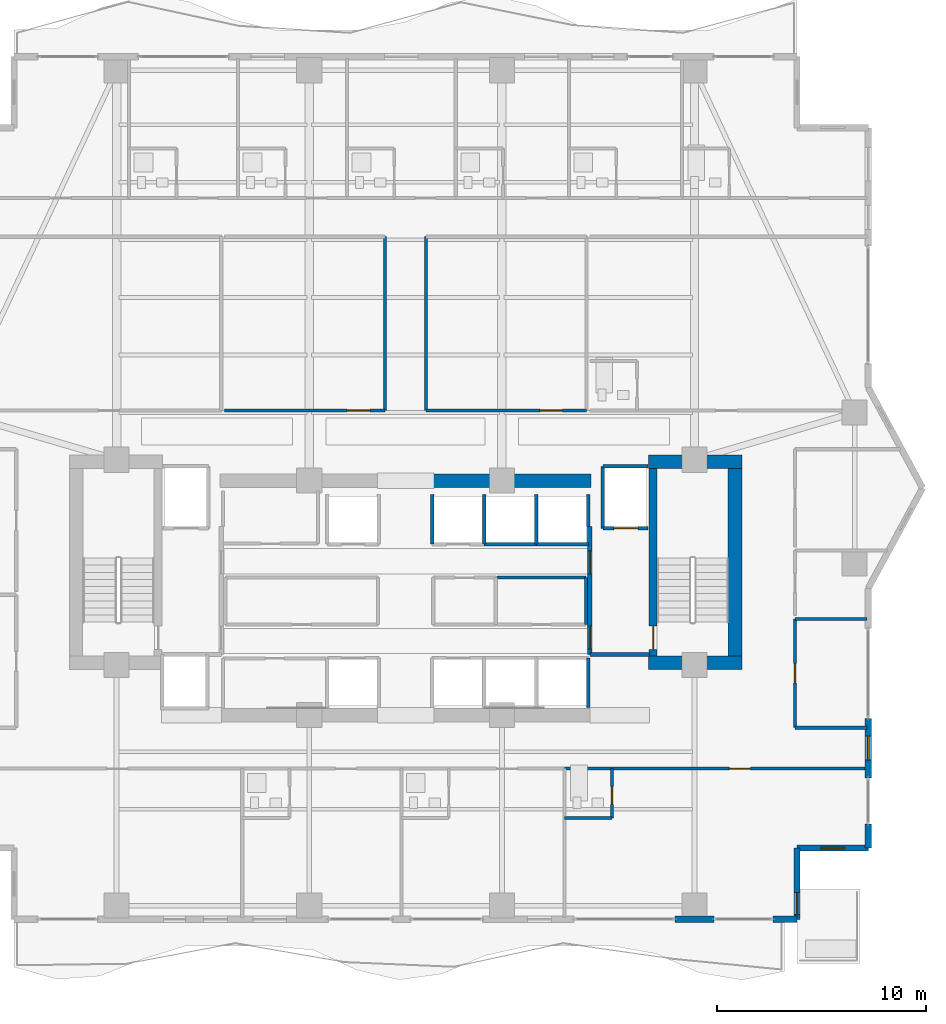
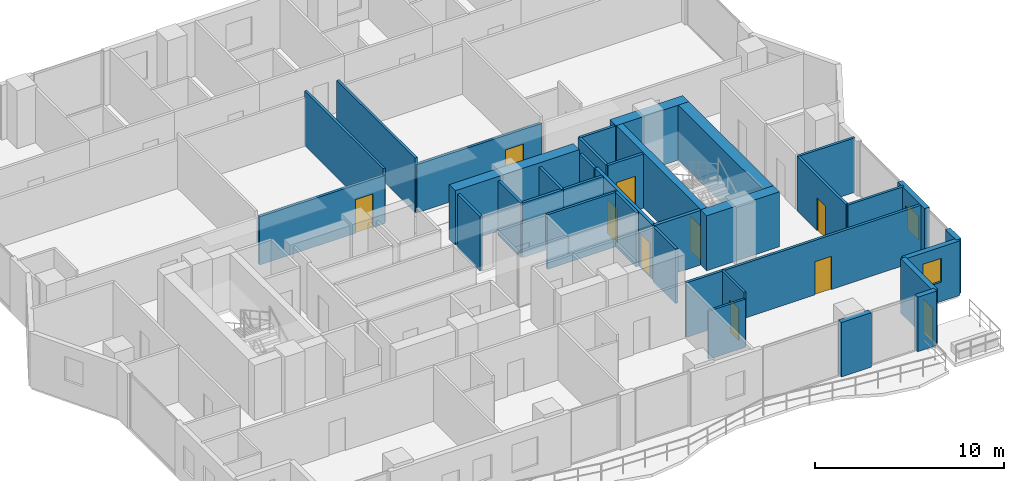
# One storey, part 26 of 33: 35 walls, 10 doors, 2 windows, 12 openings.
"""IFC4 building model written with IfcOpenShell, lengths in metres."""

from ifc_helpers import new_model, si_unit, direction, frame, frame_2d, origin, place, context, subcontext, project, spatial, rectangle, extrude, material, layer, layer_set, type_object, element, fill, save


model = new_model("IFC4")

# Units and contexts
model_context = context("Model", 3, precision=1e-05, world=origin(), true_north=direction((0.0, 1.0)))
body_context = subcontext(model_context, "Body", "Model", "MODEL_VIEW")
ifc_project = project(units=[si_unit("LENGTHUNIT", "METRE"), si_unit("AREAUNIT", "SQUARE_METRE"), si_unit("VOLUMEUNIT", "CUBIC_METRE"), si_unit("PLANEANGLEUNIT", "RADIAN"), si_unit("MASSUNIT", "GRAM", prefix="KILO")], contexts=[model_context])

# Site, building, storey
site_placement = place(None, origin())
site = spatial("IfcSite", under=ifc_project, at=site_placement, CompositionType="ELEMENT")
building_placement = place(site_placement, origin())
building = spatial("IfcBuilding", under=site, at=building_placement, Name="Zuhayl Quay Hotel", CompositionType="ELEMENT")
storey_placement = place(building_placement, frame((0.0, 0.0, 199.89990234375)))
storey = spatial("IfcBuildingStorey", under=building, at=storey_placement, Name="L50", CompositionType="ELEMENT", Elevation=199.89990234375)

# Walls
ifc_material_1 = material(Name="Concrete C50/60", Category="concrete")
ifc_layer_1 = layer(ifc_material_1, 0.64990234375, Name="Concrete C50/60", Category="concrete")
ifc_layer_set_1 = layer_set([ifc_layer_1], Name="Concrete C50/60")
wall_type_1 = type_object("IfcWallType", Name="WL_CORE_650", PredefinedType="SHEAR", material=ifc_layer_set_1)
wall_1_placement = place(storey_placement, frame((11.60009765625, 14.2548828125, 0.0), z_axis=(0.0, 0.0, 1.0), x_axis=(1.0, 0.0, 0.0)))
element("IfcWall", 1, at=wall_1_placement, inside=storey, type_object=wall_type_1, Name="L50 Core Shear Wall CW_NE", PredefinedType="SHEAR", context=body_context, shape_type="SweptSolid", body=[
    extrude(rectangle(XDim=4.4599609375, YDim=0.64990234375, at=frame_2d((2.22998046875, 0.0))), origin(), (0.0, 0.0, 1.0), 3.56005859375),
])
wall_2_placement = place(storey_placement, frame((15.735107421875, 4.969970703125, 0.0), z_axis=(0.0, 0.0, 1.0), x_axis=(0.0, 1.0, 0.0)))
element("IfcWall", 2, at=wall_2_placement, inside=storey, type_object=wall_type_1, Name="L50 Core Shear Wall CW_E", PredefinedType="SHEAR", context=body_context, shape_type="SweptSolid", body=[
    extrude(rectangle(XDim=8.9599609375, YDim=0.64990234375, at=frame_2d((4.47998046875, 0.0))), origin(), (0.0, 0.0, 1.0), 3.56005859375),
])
wall_3_placement = place(storey_placement, frame((11.60009765625, 4.64501953125, 0.0), z_axis=(0.0, 0.0, 1.0), x_axis=(1.0, 0.0, 0.0)))
element("IfcWall", 3, at=wall_3_placement, inside=storey, type_object=wall_type_1, Name="L50 Core Shear Wall CW_SE", PredefinedType="SHEAR", context=body_context, shape_type="SweptSolid", body=[
    extrude(rectangle(XDim=4.4599609375, YDim=0.64990234375, at=frame_2d((2.22998046875, 0.0))), origin(), (0.0, 0.0, 1.0), 3.56005859375),
])
wall_4_placement = place(storey_placement, frame((1.25, 13.35009765625, 0.0), z_axis=(0.0, 0.0, 1.0), x_axis=(1.0, 0.0, 0.0)))
element("IfcWall", 4, at=wall_4_placement, inside=storey, type_object=wall_type_1, Name="L50 Core Shear Wall CW_NC_E", PredefinedType="SHEAR", context=body_context, shape_type="SweptSolid", body=[
    extrude(rectangle(XDim=7.60009765625, YDim=0.64990234375, at=frame_2d((3.800048828125, 0.0))), origin(), (0.0, 0.0, 1.0), 3.530029296875),
])

# Wall, opening, window
ifc_material_2 = material(Name="Precast concrete C45/55", Category="concrete")
ifc_layer_2 = layer(ifc_material_2, 0.300048828125, Name="Precast concrete C45/55", Category="concrete")
ifc_layer_set_2 = layer_set([ifc_layer_2], Name="Precast concrete C45/55")
wall_type_2 = type_object("IfcWallType", Name="WL_EXT_300", PredefinedType="STANDARD", material=ifc_layer_set_2)
wall_5_placement = place(storey_placement, frame((22.10009765625, 2.0, 0.0), z_axis=(0.0, 0.0, 1.0), x_axis=(0.0, -1.0, 0.0)))
wall_5 = element("IfcWall", 5, at=wall_5_placement, inside=storey, type_object=wall_type_2, Name="L50 Exterior Precast Wall ENV_L50_E14_EW2", PredefinedType="STANDARD", context=body_context, shape_type="SweptSolid", body=[
    extrude(rectangle(XDim=2.85009765625, YDim=0.300048828125, at=frame_2d((1.425048828125, 0.0))), origin(), (0.0, 0.0, 1.0), 3.530029296875),
])
opening_1_placement = place(wall_5_placement, frame((0.85009765625, 0.0, 0.949951171875)))
opening_1 = element("IfcOpeningElement", 6, at=opening_1_placement, cuts=wall_5, Name="Opening W01N", PredefinedType="OPENING", context=body_context, shape_type="SweptSolid", body=[
    extrude(rectangle(XDim=1.14990234375, YDim=1.550048828125, at=frame_2d((0.574951171875, 0.77490234375))), frame((0.0, 0.159912109375, 0.0), z_axis=(0.0, -1.0, 0.0), x_axis=(1.0, 0.0, 0.0)), (0.0, 0.0, 1.0), 0.320068359375),
])
ifc_material_3 = material(Name="Dark Ceramic-Fritted Solar Glass", Category="glass")
window_type = type_object("IfcWindowType", Name="WN_NOTCH_1350", PartitioningType="SINGLE_PANEL", PredefinedType="WINDOW", material=ifc_material_3)
window_1_placement = place(opening_1_placement, origin())
window_1 = element("IfcWindow", 7, at=window_1_placement, inside=storey, type_object=window_type, Name="L50 Operable Facade Window 2-1", OverallHeight=1.550048828125, OverallWidth=1.14990234375, PartitioningType="SINGLE_PANEL", PredefinedType="WINDOW", context=body_context, shape_type="SweptSolid", body=[
    extrude(rectangle(XDim=1.14990234375, YDim=1.550048828125, at=frame_2d((0.574951171875, 0.77490234375))), frame((0.0, 0.030029296875, 0.0), z_axis=(0.0, -1.0, 0.0), x_axis=(1.0, 0.0, 0.0)), (0.0, 0.0, 1.0), 0.06005859375),
])
fill(opening_1, window_1)

# Wall
wall_6_placement = place(storey_placement, frame((22.10009765625, -3.050048828125, 0.0), z_axis=(0.0, 0.0, 1.0), x_axis=(0.0, -1.0, 0.0)))
element("IfcWall", 8, at=wall_6_placement, inside=storey, type_object=wall_type_2, Name="L50 Exterior Precast Wall ENV_L50_E14_EW3", PredefinedType="STANDARD", context=body_context, shape_type="SweptSolid", body=[
    extrude(rectangle(XDim=1.14990234375, YDim=0.300048828125, at=frame_2d((0.574951171875, 0.0))), origin(), (0.0, 0.0, 1.0), 3.530029296875),
])

# Wall, opening, window
wall_7_placement = place(storey_placement, frame((22.10009765625, -4.199951171875, 0.0), z_axis=(0.0, 0.0, 1.0), x_axis=(-1.0, 0.0, 0.0)))
wall_7 = element("IfcWall", 9, at=wall_7_placement, inside=storey, type_object=wall_type_2, Name="L50 Exterior Precast Wall ENV_L50_EW15", PredefinedType="STANDARD", context=body_context, shape_type="SweptSolid", body=[
    extrude(rectangle(XDim=3.400146484375, YDim=0.300048828125, at=frame_2d((1.7001953125, 0.0))), origin(), (0.0, 0.0, 1.0), 3.530029296875),
])
opening_2_placement = place(wall_7_placement, frame((1.125, 0.0, 1.25)))
opening_2 = element("IfcOpeningElement", 10, at=opening_2_placement, cuts=wall_7, Name="Opening W01N", PredefinedType="OPENING", context=body_context, shape_type="SweptSolid", body=[
    extrude(rectangle(XDim=1.14990234375, YDim=1.550048828125, at=frame_2d((0.574951171875, 0.77490234375))), frame((0.0, 0.159912109375, 0.0), z_axis=(0.0, -1.0, 0.0), x_axis=(1.0, 0.0, 0.0)), (0.0, 0.0, 1.0), 0.320068359375),
])
window_2_placement = place(opening_2_placement, origin())
window_2 = element("IfcWindow", 11, at=window_2_placement, inside=storey, type_object=window_type, Name="L50 Corner Notch Window 15", OverallHeight=1.550048828125, OverallWidth=1.14990234375, PartitioningType="SINGLE_PANEL", PredefinedType="WINDOW", context=body_context, shape_type="SweptSolid", body=[
    extrude(rectangle(XDim=1.14990234375, YDim=1.550048828125, at=frame_2d((0.574951171875, 0.77490234375))), frame((0.0, 0.030029296875, 0.0), z_axis=(0.0, -1.0, 0.0), x_axis=(1.0, 0.0, 0.0)), (0.0, 0.0, 1.0), 0.06005859375),
])
fill(opening_2, window_2)

# Wall, opening, door
wall_8_placement = place(storey_placement, frame((18.699951171875, -4.199951171875, 0.0), z_axis=(0.0, 0.0, 1.0), x_axis=(0.0, -1.0, 0.0)))
wall_8 = element("IfcWall", 12, at=wall_8_placement, inside=storey, type_object=wall_type_2, Name="L50 Exterior Precast Wall ENV_L50_SP_SE", PredefinedType="STANDARD", context=body_context, shape_type="SweptSolid", body=[
    extrude(rectangle(XDim=3.400146484375, YDim=0.300048828125, at=frame_2d((1.7001953125, 0.0))), origin(), (0.0, 0.0, 1.0), 3.530029296875),
])
opening_3_placement = place(wall_8_placement, frame((2.1298828125, 0.0, 0.0)))
opening_3 = element("IfcOpeningElement", 13, at=opening_3_placement, cuts=wall_8, Name="Opening DG1", PredefinedType="OPENING", context=body_context, shape_type="SweptSolid", body=[
    extrude(rectangle(XDim=1.050048828125, YDim=2.199951171875, at=frame_2d((0.52490234375, 1.10009765625))), frame((0.0, 0.159912109375, 0.0), z_axis=(0.0, -1.0, 0.0), x_axis=(1.0, 0.0, 0.0)), (0.0, 0.0, 1.0), 0.320068359375),
])
ifc_material_4 = material(Name="Anodised Aluminium and Dark Solar Glass", Category="aluminium")
door_type_1 = type_object("IfcDoorType", Name="DR_EXT_TERR_1050", OperationType="NOTDEFINED", PredefinedType="DOOR", material=ifc_material_4)
door_1_placement = place(opening_3_placement, origin())
door_1 = element("IfcDoor", 14, at=door_1_placement, inside=storey, type_object=door_type_1, Name="L50 Spiral Sky-Terrace SE Access Door", OperationType="SINGLE_SWING_LEFT", OverallHeight=2.199951171875, OverallWidth=1.050048828125, PredefinedType="DOOR", context=body_context, shape_type="SweptSolid", body=[
    extrude(rectangle(XDim=1.050048828125, YDim=2.199951171875, at=frame_2d((0.52490234375, 1.10009765625))), frame((0.0, 0.02490234375, 0.0), z_axis=(0.0, -1.0, 0.0), x_axis=(1.0, 0.0, 0.0)), (0.0, 0.0, 1.0), 0.050048828125),
])
fill(opening_3, door_1)

# Walls
wall_9_placement = place(storey_placement, frame((18.699951171875, -7.60009765625, 0.0), z_axis=(0.0, 0.0, 1.0), x_axis=(-1.0, 0.0, 0.0)))
element("IfcWall", 15, at=wall_9_placement, inside=storey, type_object=wall_type_2, Name="L50 Exterior Precast Wall ENV_L50_S_EW1", PredefinedType="STANDARD", context=body_context, shape_type="SweptSolid", body=[
    extrude(rectangle(XDim=1.14990234375, YDim=0.300048828125, at=frame_2d((0.574951171875, 0.0))), origin(), (0.0, 0.0, 1.0), 3.530029296875),
])
wall_10_placement = place(storey_placement, frame((14.719970703125, -7.60009765625, 0.0), z_axis=(0.0, 0.0, 1.0), x_axis=(-1.0, 0.0, 0.0)))
element("IfcWall", 16, at=wall_10_placement, inside=storey, type_object=wall_type_2, Name="L50 Exterior Precast Wall ENV_L50_S_EW2", PredefinedType="STANDARD", context=body_context, shape_type="SweptSolid", body=[
    extrude(rectangle(XDim=1.840087890625, YDim=0.300048828125, at=frame_2d((0.919921875, 0.0))), origin(), (0.0, 0.0, 1.0), 3.530029296875),
])
ifc_material_5 = material(Name="Acoustic Gypsum Partition STC-58")
ifc_layer_3 = layer(ifc_material_5, 0.14990234375, Name="Acoustic Gypsum Partition STC-58")
ifc_layer_set_3 = layer_set([ifc_layer_3], Name="Acoustic Gypsum Partition STC-58")
wall_type_3 = type_object("IfcWallType", Name="WL_PART_150", PredefinedType="PARTITIONING", material=ifc_layer_set_3)
wall_11_placement = place(storey_placement, frame((4.3701171875, 8.719970703125, 0.0), z_axis=(0.0, 0.0, 1.0), x_axis=(1.0, 0.0, 0.0)))
element("IfcWall", 17, at=wall_11_placement, inside=storey, type_object=wall_type_3, Name="L50 Partition IW_L50_CORE_LN_N", PredefinedType="PARTITIONING", context=body_context, shape_type="SweptSolid", body=[
    extrude(rectangle(XDim=4.239990234375, YDim=0.14990234375, at=frame_2d((2.1201171875, 0.0))), origin(), (0.0, 0.0, 1.0), 3.530029296875),
])
wall_12_placement = place(storey_placement, frame((8.610107421875, 6.47998046875, 0.0), z_axis=(0.0, 0.0, 1.0), x_axis=(0.0, 1.0, 0.0)))
element("IfcWall", 18, at=wall_12_placement, inside=storey, type_object=wall_type_3, Name="L50 Partition IW_L50_CORE_LN_E", PredefinedType="PARTITIONING", context=body_context, shape_type="SweptSolid", body=[
    extrude(rectangle(XDim=2.239990234375, YDim=0.14990234375, at=frame_2d((1.1201171875, 0.0))), origin(), (0.0, 0.0, 1.0), 3.530029296875),
])
for number, where, z_axis, x_axis, name in (
    (19, (-0.97998046875, 16.699951171875, 0.0), (0.0, 0.0, 1.0), (0.0, 1.0, 0.0), "L50 Partition IW_L50_Z3_MID_W_E"),
    (20, (0.97998046875, 16.699951171875, 0.0), (0.0, 0.0, 1.0), (0.0, 1.0, 0.0), "L50 Partition IW_L50_Z3_MID_E_W"),
):
    element("IfcWall", number, at=place(storey_placement, frame(where, z_axis=z_axis, x_axis=x_axis)), inside=storey, type_object=wall_type_3, Name=name, PredefinedType="PARTITIONING", context=body_context, shape_type="SweptSolid", body=[
        extrude(rectangle(XDim=8.300048828125, YDim=0.14990234375, at=frame_2d((4.14990234375, 0.0))), origin(), (0.0, 0.0, 1.0), 3.530029296875),
    ])
for number, where, z_axis, x_axis, name in (
    (21, (18.60009765625, 1.550048828125, 0.0), (0.0, 0.0, 1.0), (1.0, 0.0, 0.0), "L50 Partition IW_L50_HK_MAIN_S"),
    (22, (18.60009765625, 6.75, 0.0), (0.0, 0.0, 1.0), (1.0, 0.0, 0.0), "L50 Partition IW_L50_HK_MAIN_N"),
):
    element("IfcWall", number, at=place(storey_placement, frame(where, z_axis=z_axis, x_axis=x_axis)), inside=storey, type_object=wall_type_3, Name=name, PredefinedType="PARTITIONING", context=body_context, shape_type="SweptSolid", body=[
        extrude(rectangle(XDim=3.43994140625, YDim=0.14990234375, at=frame_2d((1.719970703125, 0.0))), origin(), (0.0, 0.0, 1.0), 3.530029296875),
    ])

# Wall, opening, door
ifc_layer_4 = layer(ifc_material_5, 0.159912109375, Name="Acoustic Gypsum Partition STC-58")
ifc_layer_set_4 = layer_set([ifc_layer_4], Name="Acoustic Gypsum Partition STC-58")
wall_type_4 = type_object("IfcWallType", Name="WL_PART_CORR_160", PredefinedType="PARTITIONING", material=ifc_layer_set_4)
wall_13_placement = place(storey_placement, frame((-8.639892578125, 16.699951171875, 0.0), z_axis=(0.0, 0.0, 1.0), x_axis=(1.0, 0.0, 0.0)))
wall_13 = element("IfcWall", 23, at=wall_13_placement, inside=storey, type_object=wall_type_4, Name="L50 Partition IW_L50_Z3_MID_W_S", PredefinedType="PARTITIONING", context=body_context, shape_type="SweptSolid", body=[
    extrude(rectangle(XDim=7.659912109375, YDim=0.159912109375, at=frame_2d((3.830078125, 0.0))), origin(), (0.0, 0.0, 1.0), 3.1240234375),
])
opening_4_placement = place(wall_13_placement, frame((5.85009765625, 0.0, 0.0)))
opening_4 = element("IfcOpeningElement", 24, at=opening_4_placement, cuts=wall_13, Name="Opening D05A", PredefinedType="OPENING", context=body_context, shape_type="SweptSolid", body=[
    extrude(rectangle(XDim=1.080078125, YDim=2.179931640625, at=frame_2d((0.5400390625, 1.08984375))), frame((0.0, 0.08984375, 0.0), z_axis=(0.0, -1.0, 0.0), x_axis=(1.0, 0.0, 0.0)), (0.0, 0.0, 1.0), 0.179931640625),
])
ifc_material_6 = material(Name="Solid Walnut Acoustic Fire Door")
door_type_2 = type_object("IfcDoorType", Name="DR_INT_1100", OperationType="NOTDEFINED", PredefinedType="DOOR", material=ifc_material_6)
door_2_placement = place(opening_4_placement, origin())
door_2 = element("IfcDoor", 25, at=door_2_placement, inside=storey, type_object=door_type_2, Name="L50 Botanical Tasting Room Door", OperationType="SINGLE_SWING_LEFT", OverallHeight=2.179931640625, OverallWidth=1.080078125, PredefinedType="DOOR", context=body_context, shape_type="SweptSolid", body=[
    extrude(rectangle(XDim=1.080078125, YDim=2.179931640625, at=frame_2d((0.5400390625, 1.08984375))), frame((0.0, 0.02490234375, 0.0), z_axis=(0.0, -1.0, 0.0), x_axis=(1.0, 0.0, 0.0)), (0.0, 0.0, 1.0), 0.050048828125),
])
fill(opening_4, door_2)

wall_14_placement = place(storey_placement, frame((0.97998046875, 16.699951171875, 0.0), z_axis=(0.0, 0.0, 1.0), x_axis=(1.0, 0.0, 0.0)))
wall_14 = element("IfcWall", 26, at=wall_14_placement, inside=storey, type_object=wall_type_4, Name="L50 Partition IW_L50_Z3_MID_E_S", PredefinedType="PARTITIONING", context=body_context, shape_type="SweptSolid", body=[
    extrude(rectangle(XDim=7.659912109375, YDim=0.159912109375, at=frame_2d((3.830078125, 0.0))), origin(), (0.0, 0.0, 1.0), 3.1240234375),
])
opening_5_placement = place(wall_14_placement, frame((5.429931640625, 0.0, 0.0)))
opening_5 = element("IfcOpeningElement", 27, at=opening_5_placement, cuts=wall_14, Name="Opening D05A", PredefinedType="OPENING", context=body_context, shape_type="SweptSolid", body=[
    extrude(rectangle(XDim=1.080078125, YDim=2.179931640625, at=frame_2d((0.5400390625, 1.08984375))), frame((0.0, 0.08984375, 0.0), z_axis=(0.0, -1.0, 0.0), x_axis=(1.0, 0.0, 0.0)), (0.0, 0.0, 1.0), 0.179931640625),
])
door_3_placement = place(opening_5_placement, origin())
door_3 = element("IfcDoor", 28, at=door_3_placement, inside=storey, type_object=door_type_2, Name="L50 Horizon Screening Salon Door", OperationType="SINGLE_SWING_RIGHT", OverallHeight=2.179931640625, OverallWidth=1.080078125, PredefinedType="DOOR", context=body_context, shape_type="SweptSolid", body=[
    extrude(rectangle(XDim=1.080078125, YDim=2.179931640625, at=frame_2d((0.5400390625, 1.08984375))), frame((0.0, 0.02490234375, 0.0), z_axis=(0.0, -1.0, 0.0), x_axis=(1.0, 0.0, 0.0)), (0.0, 0.0, 1.0), 0.050048828125),
])
fill(opening_5, door_3)

wall_15_placement = place(storey_placement, frame((7.60009765625, -0.39990234375, 0.0), z_axis=(0.0, 0.0, 1.0), x_axis=(1.0, 0.0, 0.0)))
wall_15 = element("IfcWall", 29, at=wall_15_placement, inside=storey, type_object=wall_type_4, Name="L50 Partition IW_L50_SU04_COR", PredefinedType="PARTITIONING", context=body_context, shape_type="SweptSolid", body=[
    extrude(rectangle(XDim=14.43994140625, YDim=0.159912109375, at=frame_2d((7.219970703125, 0.0))), origin(), (0.0, 0.0, 1.0), 3.530029296875),
])
opening_6_placement = place(wall_15_placement, frame((7.8701171875, 0.0, 0.0)))
opening_6 = element("IfcOpeningElement", 30, at=opening_6_placement, cuts=wall_15, Name="Opening D03L", PredefinedType="OPENING", context=body_context, shape_type="SweptSolid", body=[
    extrude(rectangle(XDim=1.0, YDim=2.14990234375, at=frame_2d((0.5, 1.074951171875))), frame((0.0, 0.08984375, 0.0), z_axis=(0.0, -1.0, 0.0), x_axis=(1.0, 0.0, 0.0)), (0.0, 0.0, 1.0), 0.179931640625),
])
door_type_3 = type_object("IfcDoorType", Name="DR_SUITE_1000", OperationType="NOTDEFINED", PredefinedType="DOOR", material=ifc_material_6)
door_4_placement = place(opening_6_placement, origin())
door_4 = element("IfcDoor", 31, at=door_4_placement, inside=storey, type_object=door_type_3, Name="L50 City-View Junior Suite L50-04 Entrance Door", OperationType="SINGLE_SWING_RIGHT", OverallHeight=2.14990234375, OverallWidth=1.0, PredefinedType="DOOR", context=body_context, shape_type="SweptSolid", body=[
    extrude(rectangle(XDim=1.0, YDim=2.14990234375, at=frame_2d((0.5, 1.074951171875))), frame((0.0, 0.02490234375, 0.0), z_axis=(0.0, -1.0, 0.0), x_axis=(1.0, 0.0, 0.0)), (0.0, 0.0, 1.0), 0.050048828125),
])
fill(opening_6, door_4)

wall_16_placement = place(storey_placement, frame((18.60009765625, 1.550048828125, 0.0), z_axis=(0.0, 0.0, 1.0), x_axis=(0.0, 1.0, 0.0)))
wall_16 = element("IfcWall", 32, at=wall_16_placement, inside=storey, type_object=wall_type_4, Name="L50 Partition IW_L50_HK_MAIN_W", PredefinedType="PARTITIONING", context=body_context, shape_type="SweptSolid", body=[
    extrude(rectangle(XDim=5.199951171875, YDim=0.159912109375, at=frame_2d((2.60009765625, 0.0))), origin(), (0.0, 0.0, 1.0), 3.530029296875),
])
opening_7_placement = place(wall_16_placement, frame((2.139892578125, 0.0, 0.0)))
opening_7 = element("IfcOpeningElement", 33, at=opening_7_placement, cuts=wall_16, Name="Opening D05", PredefinedType="OPENING", context=body_context, shape_type="SweptSolid", body=[
    extrude(rectangle(XDim=0.919921875, YDim=2.1201171875, at=frame_2d((0.4599609375, 1.06005859375))), frame((0.0, 0.08984375, 0.0), z_axis=(0.0, -1.0, 0.0), x_axis=(1.0, 0.0, 0.0)), (0.0, 0.0, 1.0), 0.179931640625),
])
door_type_4 = type_object("IfcDoorType", Name="DR_INT_950", OperationType="NOTDEFINED", PredefinedType="DOOR", material=ifc_material_6)
door_5_placement = place(opening_7_placement, origin())
door_5 = element("IfcDoor", 34, at=door_5_placement, inside=storey, type_object=door_type_4, Name="L50 Housekeeping and Linen Room Door", OperationType="SINGLE_SWING_LEFT", OverallHeight=2.1201171875, OverallWidth=0.919921875, PredefinedType="DOOR", context=body_context, shape_type="SweptSolid", body=[
    extrude(rectangle(XDim=0.919921875, YDim=2.1201171875, at=frame_2d((0.4599609375, 1.06005859375))), frame((0.0, 0.02490234375, 0.0), z_axis=(0.0, -1.0, 0.0), x_axis=(1.0, 0.0, 0.0)), (0.0, 0.0, 1.0), 0.050048828125),
])
fill(opening_7, door_5)

ifc_material_7 = material(Name="Moisture-Resistant Sanitarychase Gypsum")
ifc_layer_5 = layer(ifc_material_7, 0.135009765625, Name="Moisture-Resistant Sanitarychase Gypsum")
ifc_layer_set_5 = layer_set([ifc_layer_5], Name="Moisture-Resistant Sanitarychase Gypsum")
wall_type_5 = type_object("IfcWallType", Name="WL_PART_PLUMB_150", PredefinedType="PLUMBINGWALL", material=ifc_layer_set_5)
wall_17_placement = place(storey_placement, frame((9.860107421875, -2.760009765625, 0.0), z_axis=(0.0, 0.0, 1.0), x_axis=(0.0, 1.0, 0.0)))
wall_17 = element("IfcWall", 35, at=wall_17_placement, inside=storey, type_object=wall_type_5, Name="L50 Partition IW_L50_SU04_BE", PredefinedType="PLUMBINGWALL", context=body_context, shape_type="SweptSolid", body=[
    extrude(rectangle(XDim=2.360107421875, YDim=0.135009765625, at=frame_2d((1.18017578125, 0.0))), origin(), (0.0, 0.0, 1.0), 3.530029296875),
])
opening_8_placement = place(wall_17_placement, frame((0.64990234375, 0.0, 0.0)))
opening_8 = element("IfcOpeningElement", 36, at=opening_8_placement, cuts=wall_17, Name="Opening D04", PredefinedType="OPENING", context=body_context, shape_type="SweptSolid", body=[
    extrude(rectangle(XDim=0.85009765625, YDim=2.10009765625, at=frame_2d((0.425048828125, 1.050048828125))), frame((0.0, 0.077392578125, 0.0), z_axis=(0.0, -1.0, 0.0), x_axis=(1.0, 0.0, 0.0)), (0.0, 0.0, 1.0), 0.155029296875),
])
ifc_material_8 = material(Name="Moisture-Resistant Walnut Veneer")
door_type_5 = type_object("IfcDoorType", Name="DR_BATH_850", OperationType="NOTDEFINED", PredefinedType="DOOR", material=ifc_material_8)
door_6_placement = place(opening_8_placement, origin())
door_6 = element("IfcDoor", 37, at=door_6_placement, inside=storey, type_object=door_type_5, Name="L50 City-View Junior Suite L50-04 En-Suite Door", OperationType="SINGLE_SWING_LEFT", OverallHeight=2.10009765625, OverallWidth=0.85009765625, PredefinedType="DOOR", context=body_context, shape_type="SweptSolid", body=[
    extrude(rectangle(XDim=0.85009765625, YDim=2.10009765625, at=frame_2d((0.425048828125, 1.050048828125))), frame((0.0, 0.02490234375, 0.0), z_axis=(0.0, -1.0, 0.0), x_axis=(1.0, 0.0, 0.0)), (0.0, 0.0, 1.0), 0.050048828125),
])
fill(opening_8, door_6)

# Wall
wall_18_placement = place(storey_placement, frame((7.60009765625, -2.760009765625, 0.0), z_axis=(0.0, 0.0, 1.0), x_axis=(1.0, 0.0, 0.0)))
element("IfcWall", 38, at=wall_18_placement, inside=storey, type_object=wall_type_5, Name="L50 Partition IW_L50_SU04_BS", PredefinedType="PLUMBINGWALL", context=body_context, shape_type="SweptSolid", body=[
    extrude(rectangle(XDim=2.260009765625, YDim=0.135009765625, at=frame_2d((1.1298828125, 0.0))), origin(), (0.0, 0.0, 1.0), 3.1240234375),
])

# Wall, opening, door
ifc_material_9 = material(Name="Gypsum Fireboard Assembly EI-90")
ifc_layer_6 = layer(ifc_material_9, 0.1650390625, Name="Gypsum Fireboard Assembly EI-90")
ifc_layer_set_6 = layer_set([ifc_layer_6], Name="Gypsum Fireboard Assembly EI-90")
wall_type_6 = type_object("IfcWallType", Name="WL_PART_SHAFT_160", PredefinedType="PARTITIONING", material=ifc_layer_set_6)
wall_19_placement = place(storey_placement, frame((9.419921875, 11.070068359375, 0.0), z_axis=(0.0, 0.0, 1.0), x_axis=(1.0, 0.0, 0.0)))
wall_19 = element("IfcWall", 39, at=wall_19_placement, inside=storey, type_object=wall_type_6, Name="L50 Partition IW_L50_SH_FL2_F", PredefinedType="PARTITIONING", context=body_context, shape_type="SweptSolid", body=[
    extrude(rectangle(XDim=2.16015625, YDim=0.1650390625, at=frame_2d((1.080078125, 0.0))), origin(), (0.0, 0.0, 1.0), 3.530029296875),
])
opening_9_placement = place(wall_19_placement, frame((0.530029296875, 0.0, 0.0)))
opening_9 = element("IfcOpeningElement", 40, at=opening_9_placement, cuts=wall_19, Name="Opening LD2", PredefinedType="OPENING", context=body_context, shape_type="SweptSolid", body=[
    extrude(rectangle(XDim=1.14990234375, YDim=2.25, at=frame_2d((0.574951171875, 1.125))), frame((0.0, 0.092529296875, 0.0), z_axis=(0.0, -1.0, 0.0), x_axis=(1.0, 0.0, 0.0)), (0.0, 0.0, 1.0), 0.18505859375),
])
ifc_material_10 = material(Name="Brushed Stainless Steel", Category="steel")
door_type_6 = type_object("IfcDoorType", Name="DR_LIFT_FF_1100", OperationType="SLIDING_TO_LEFT", PredefinedType="DOOR", material=ifc_material_10)
door_7_placement = place(opening_9_placement, origin())
door_7 = element("IfcDoor", 41, at=door_7_placement, inside=storey, type_object=door_type_6, Name="L50 Lift FL2 Sliding Landing Door", OperationType="SLIDING_TO_LEFT", OverallHeight=2.25, OverallWidth=1.14990234375, PredefinedType="DOOR", context=body_context, shape_type="SweptSolid", body=[
    extrude(rectangle(XDim=1.14990234375, YDim=2.25, at=frame_2d((0.574951171875, 1.125))), frame((0.0, 0.02490234375, 0.0), z_axis=(0.0, -1.0, 0.0), x_axis=(1.0, 0.0, 0.0)), (0.0, 0.0, 1.0), 0.050048828125),
])
fill(opening_9, door_7)

# Walls
wall_20_placement = place(storey_placement, frame((9.419921875, 11.070068359375, 0.0), z_axis=(0.0, 0.0, 1.0), x_axis=(0.0, 1.0, 0.0)))
element("IfcWall", 42, at=wall_20_placement, inside=storey, type_object=wall_type_6, Name="L50 Partition IW_L50_SH_FL2_W", PredefinedType="PARTITIONING", context=body_context, shape_type="SweptSolid", body=[
    extrude(rectangle(XDim=2.9599609375, YDim=0.1650390625, at=frame_2d((1.47998046875, 0.0))), origin(), (0.0, 0.0, 1.0), 3.530029296875),
])
wall_21_placement = place(storey_placement, frame((9.419921875, 14.030029296875, 0.0), z_axis=(0.0, 0.0, 1.0), x_axis=(1.0, 0.0, 0.0)))
element("IfcWall", 43, at=wall_21_placement, inside=storey, type_object=wall_type_6, Name="L50 Partition IW_L50_SH_FL2_B", PredefinedType="PARTITIONING", context=body_context, shape_type="SweptSolid", body=[
    extrude(rectangle(XDim=2.16015625, YDim=0.1650390625, at=frame_2d((1.080078125, 0.0))), origin(), (0.0, 0.0, 1.0), 3.530029296875),
])
for number, where, z_axis, x_axis, name in (
    (44, (1.27001953125, 10.320068359375, 0.0), (0.0, 0.0, 1.0), (0.0, 1.0, 0.0), "L50 Partition IW_L50_SH_MP4_W"),
    (45, (3.75, 10.320068359375, 0.0), (0.0, 0.0, 1.0), (0.0, 1.0, 0.0), "L50 Partition IW_L50_SH_MP4_E"),
    (46, (8.72998046875, 2.52001953125, 0.0), (0.0, 0.0, 1.0), (0.0, 1.0, 0.0), "L50 Partition IW_L50_SH_HP2_E"),
):
    element("IfcWall", number, at=place(storey_placement, frame(where, z_axis=z_axis, x_axis=x_axis)), inside=storey, type_object=wall_type_6, Name=name, PredefinedType="PARTITIONING", context=body_context, shape_type="SweptSolid", body=[
        extrude(rectangle(XDim=2.35986328125, YDim=0.1650390625, at=frame_2d((1.179931640625, 0.0))), origin(), (0.0, 0.0, 1.0), 3.530029296875),
    ])
wall_22_placement = place(storey_placement, frame((3.75, 10.320068359375, 0.0), z_axis=(0.0, 0.0, 1.0), x_axis=(1.0, 0.0, 0.0)))
element("IfcWall", 47, at=wall_22_placement, inside=storey, type_object=wall_type_6, Name="L50 Partition IW_L50_SH_HP3_F", PredefinedType="PARTITIONING", context=body_context, shape_type="SweptSolid", body=[
    extrude(rectangle(XDim=2.5, YDim=0.1650390625, at=frame_2d((1.25, 0.0))), origin(), (0.0, 0.0, 1.0), 3.530029296875),
])
wall_23_placement = place(storey_placement, frame((6.25, 10.320068359375, 0.0), z_axis=(0.0, 0.0, 1.0), x_axis=(0.0, 1.0, 0.0)))
element("IfcWall", 48, at=wall_23_placement, inside=storey, type_object=wall_type_6, Name="L50 Partition IW_L50_SH_HP3_E", PredefinedType="PARTITIONING", context=body_context, shape_type="SweptSolid", body=[
    extrude(rectangle(XDim=2.35986328125, YDim=0.1650390625, at=frame_2d((1.179931640625, 0.0))), origin(), (0.0, 0.0, 1.0), 3.530029296875),
])
wall_24_placement = place(storey_placement, frame((6.25, 10.320068359375, 0.0), z_axis=(0.0, 0.0, 1.0), x_axis=(1.0, 0.0, 0.0)))
element("IfcWall", 49, at=wall_24_placement, inside=storey, type_object=wall_type_6, Name="L50 Partition IW_L50_SH_HP4_F", PredefinedType="PARTITIONING", context=body_context, shape_type="SweptSolid", body=[
    extrude(rectangle(XDim=2.47998046875, YDim=0.1650390625, at=frame_2d((1.239990234375, 0.0))), origin(), (0.0, 0.0, 1.0), 3.530029296875),
])
wall_25_placement = place(storey_placement, frame((8.72998046875, 11.14990234375, 0.0), z_axis=(0.0, 0.0, 1.0), x_axis=(0.0, 1.0, 0.0)))
element("IfcWall", 50, at=wall_25_placement, inside=storey, type_object=wall_type_6, Name="L50 Partition IW_L50_SH_HP4_E", PredefinedType="PARTITIONING", context=body_context, shape_type="SweptSolid", body=[
    extrude(rectangle(XDim=1.530029296875, YDim=0.1650390625, at=frame_2d((0.76513671875, 0.0))), origin(), (0.0, 0.0, 1.0), 3.530029296875),
])

# Wall, openings, doors
ifc_material_11 = material(Name="Gypsum Fireboard Assembly EI-120")
ifc_layer_7 = layer(ifc_material_11, 0.199951171875, Name="Gypsum Fireboard Assembly EI-120")
ifc_layer_set_7 = layer_set([ifc_layer_7], Name="Gypsum Fireboard Assembly EI-120")
wall_type_7 = type_object("IfcWallType", Name="WL_PART_SHAFT_200", PredefinedType="PARTITIONING", material=ifc_layer_set_7)
wall_26_placement = place(storey_placement, frame((8.800048828125, 11.14990234375, 0.0), z_axis=(0.0, 0.0, 1.0), x_axis=(0.0, -1.0, 0.0)))
wall_26 = element("IfcWall", 51, at=wall_26_placement, inside=storey, type_object=wall_type_7, Name="L50 Partition IW_L50_FSAE_E_W", PredefinedType="PARTITIONING", context=body_context, shape_type="SweptSolid", body=[
    extrude(rectangle(XDim=6.099853515625, YDim=0.199951171875, at=frame_2d((3.0498046875, 0.0))), origin(), (0.0, 0.0, 1.0), 3.530029296875),
])
opening_10_placement = place(wall_26_placement, frame((1.14990234375, 0.0, 0.0)))
opening_10 = element("IfcOpeningElement", 52, at=opening_10_placement, cuts=wall_26, Name="Opening D02", PredefinedType="OPENING", context=body_context, shape_type="SweptSolid", body=[
    extrude(rectangle(XDim=1.10009765625, YDim=2.199951171875, at=frame_2d((0.550048828125, 1.10009765625))), frame((0.0, 0.10986328125, 0.0), z_axis=(0.0, -1.0, 0.0), x_axis=(1.0, 0.0, 0.0)), (0.0, 0.0, 1.0), 0.219970703125),
])
opening_11_placement = place(wall_26_placement, frame((4.75, 0.0, 0.0)))
opening_11 = element("IfcOpeningElement", 53, at=opening_11_placement, cuts=wall_26, Name="Opening D02", PredefinedType="OPENING", context=body_context, shape_type="SweptSolid", body=[
    extrude(rectangle(XDim=1.10009765625, YDim=2.199951171875, at=frame_2d((0.550048828125, 1.10009765625))), frame((0.0, 0.10986328125, 0.0), z_axis=(0.0, -1.0, 0.0), x_axis=(1.0, 0.0, 0.0)), (0.0, 0.0, 1.0), 0.219970703125),
])
ifc_material_12 = material(Name="Steel ASTM A992 Grade 50", Category="steel")
door_type_7 = type_object("IfcDoorType", Name="DR_FIRE_90_1100", OperationType="NOTDEFINED", PredefinedType="DOOR", material=ifc_material_12)
door_8_placement = place(opening_10_placement, origin())
door_8 = element("IfcDoor", 54, at=door_8_placement, inside=storey, type_object=door_type_7, Name="L50 FSAE Lobby East North Entry Door", OperationType="SINGLE_SWING_RIGHT", OverallHeight=2.199951171875, OverallWidth=1.10009765625, PredefinedType="DOOR", context=body_context, shape_type="SweptSolid", body=[
    extrude(rectangle(XDim=1.10009765625, YDim=2.199951171875, at=frame_2d((0.550048828125, 1.10009765625))), frame((0.0, 0.02490234375, 0.0), z_axis=(0.0, -1.0, 0.0), x_axis=(1.0, 0.0, 0.0)), (0.0, 0.0, 1.0), 0.050048828125),
])
fill(opening_10, door_8)
door_9_placement = place(opening_11_placement, origin())
door_9 = element("IfcDoor", 55, at=door_9_placement, inside=storey, type_object=door_type_7, Name="L50 FSAE Lobby East South Entry Door", OperationType="SINGLE_SWING_LEFT", OverallHeight=2.199951171875, OverallWidth=1.10009765625, PredefinedType="DOOR", context=body_context, shape_type="SweptSolid", body=[
    extrude(rectangle(XDim=1.10009765625, YDim=2.199951171875, at=frame_2d((0.550048828125, 1.10009765625))), frame((0.0, 0.02490234375, 0.0), z_axis=(0.0, -1.0, 0.0), x_axis=(1.0, 0.0, 0.0)), (0.0, 0.0, 1.0), 0.050048828125),
])
fill(opening_11, door_9)

# Wall
wall_27_placement = place(storey_placement, frame((8.800048828125, 5.050048828125, 0.0), z_axis=(0.0, 0.0, 1.0), x_axis=(1.0, 0.0, 0.0)))
element("IfcWall", 56, at=wall_27_placement, inside=storey, type_object=wall_type_7, Name="L50 Partition IW_L50_FSAE_E_S", PredefinedType="PARTITIONING", context=body_context, shape_type="SweptSolid", body=[
    extrude(rectangle(XDim=2.849853515625, YDim=0.199951171875, at=frame_2d((1.4248046875, 0.0))), origin(), (0.0, 0.0, 1.0), 3.530029296875),
])

# Wall, opening, door
ifc_material_13 = material(Name="Concrete C60/75", Category="concrete")
ifc_layer_8 = layer(ifc_material_13, 0.39990234375, Name="Concrete C60/75", Category="concrete")
ifc_layer_set_8 = layer_set([ifc_layer_8], Name="Concrete C60/75")
wall_type_8 = type_object("IfcWallType", Name="WL_STAIR_400", PredefinedType="SHEAR", material=ifc_layer_set_8)
wall_28_placement = place(storey_placement, frame((11.820068359375, 13.929931640625, 0.0), z_axis=(0.0, 0.0, 1.0), x_axis=(0.0, -1.0, 0.0)))
wall_28 = element("IfcWall", 57, at=wall_28_placement, inside=storey, type_object=wall_type_8, Name="L50 Core Shear Wall SW_ST2", PredefinedType="SHEAR", context=body_context, shape_type="SweptSolid", body=[
    extrude(rectangle(XDim=8.9599609375, YDim=0.39990234375, at=frame_2d((4.47998046875, 0.0))), origin(), (0.0, 0.0, 1.0), 3.56005859375),
])
opening_12_placement = place(wall_28_placement, frame((7.530029296875, 0.0, 0.0)))
opening_12 = element("IfcOpeningElement", 58, at=opening_12_placement, cuts=wall_28, Name="Opening D01", PredefinedType="OPENING", context=body_context, shape_type="SweptSolid", body=[
    extrude(rectangle(XDim=1.1201171875, YDim=2.219970703125, at=frame_2d((0.56005859375, 1.10986328125))), frame((0.0, 0.2099609375, 0.0), z_axis=(0.0, -1.0, 0.0), x_axis=(1.0, 0.0, 0.0)), (0.0, 0.0, 1.0), 0.419921875),
])
door_type_8 = type_object("IfcDoorType", Name="DR_STAIR_90_1100", OperationType="NOTDEFINED", PredefinedType="DOOR", material=ifc_material_12)
door_10_placement = place(opening_12_placement, origin())
door_10 = element("IfcDoor", 59, at=door_10_placement, inside=storey, type_object=door_type_8, Name="L50 Smokeproof Exit Stair ST2 Door", OperationType="SINGLE_SWING_RIGHT", OverallHeight=2.219970703125, OverallWidth=1.1201171875, PredefinedType="DOOR", context=body_context, shape_type="SweptSolid", body=[
    extrude(rectangle(XDim=1.1201171875, YDim=2.219970703125, at=frame_2d((0.56005859375, 1.10986328125))), frame((0.0, 0.02490234375, 0.0), z_axis=(0.0, -1.0, 0.0), x_axis=(1.0, 0.0, 0.0)), (0.0, 0.0, 1.0), 0.050048828125),
])
fill(opening_12, door_10)

save(model, "model.ifc")
